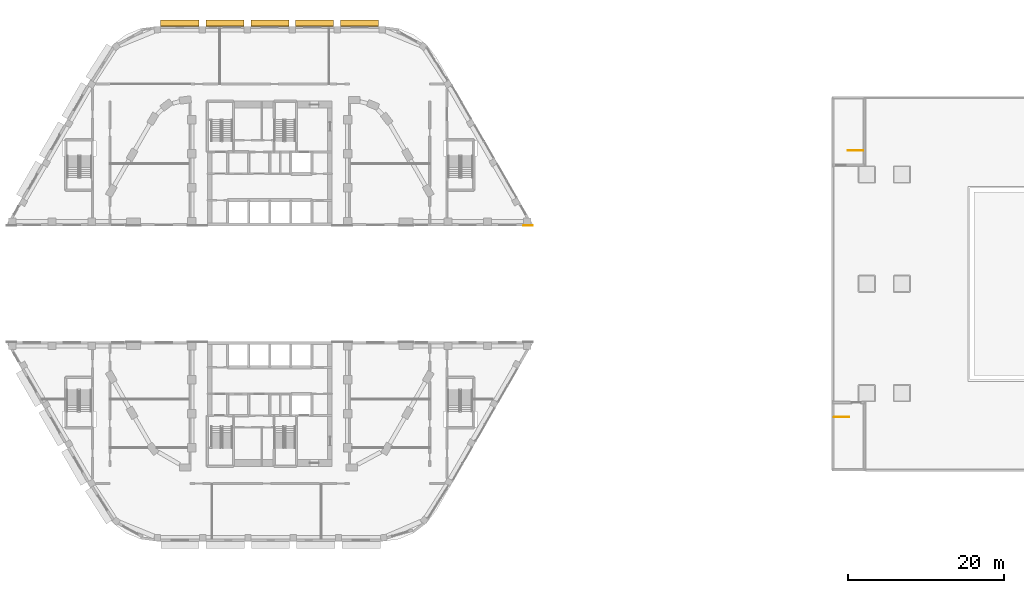
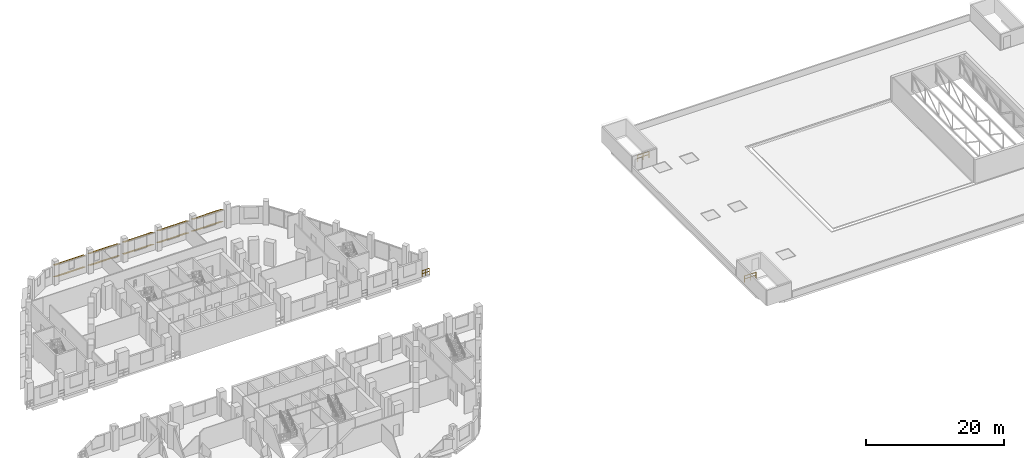
# One storey, part 32 of 33: 10 shading devices, 3 railings.
"""IFC4 building model written with IfcOpenShell, lengths in metres."""

from ifc_helpers import new_model, si_unit, direction, frame, origin, origin_2d, place, context, subcontext, project, spatial, rectangle, circle, extrude, material, material_profile, profile_set, type_object, element, save


model = new_model("IFC4")

# Units and contexts
model_context = context("Model", 3, precision=1e-05, world=origin(), true_north=direction((0.0, 1.0)))
body_context = subcontext(model_context, "Body", "Model", "MODEL_VIEW")
ifc_project = project(units=[si_unit("LENGTHUNIT", "METRE"), si_unit("AREAUNIT", "SQUARE_METRE"), si_unit("VOLUMEUNIT", "CUBIC_METRE"), si_unit("PLANEANGLEUNIT", "RADIAN"), si_unit("MASSUNIT", "GRAM", prefix="KILO")], contexts=[model_context])

# Site, building, storey
site_placement = place(None, origin())
site = spatial("IfcSite", under=ifc_project, at=site_placement, CompositionType="ELEMENT")
building_placement = place(site_placement, origin())
building = spatial("IfcBuilding", under=site, at=building_placement, Name="Nakaniwa Court", CompositionType="ELEMENT")
storey_placement = place(building_placement, frame((0.0, 0.0, 19.800048828125)))
storey = spatial("IfcBuildingStorey", under=building, at=storey_placement, Name="L04", CompositionType="ELEMENT", Elevation=19.800048828125)

# Railings
ifc_material_1 = material(Name="Black powder-coated steel flat bar balustrade S275", Category="steel")
railing_type_1 = type_object("IfcRailingType", Name="Hall guard 1100", PredefinedType="GUARDRAIL", material=ifc_material_1)
railing_1_placement = place(storey_placement, frame((152.300048828125, 62.909912109375, 0.0)))
element("IfcRailing", 1, at=railing_1_placement, inside=storey, type_object=railing_type_1, Name="L04 ST-H1 top well guard 1", PredefinedType="GUARDRAIL", context=body_context, shape_type="SweptSolid", body=[
    extrude(circle(Radius=0.02392578125, at=origin_2d()), frame((0.0, 0.0, 1.076171875), z_axis=(1.0, 0.0, 0.0), x_axis=(0.0, 1.0, 0.0)), (0.0, 0.0, 1.0), 1.949951171875),
    extrude(circle(Radius=0.02392578125, at=origin_2d()), frame((0.0, 0.0, 0.550048828125), z_axis=(1.0, 0.0, 0.0), x_axis=(0.0, 1.0, 0.0)), (0.0, 0.0, 1.0), 1.949951171875),
    extrude(circle(Radius=0.02099609375, at=origin_2d()), origin(), (0.0, 0.0, 1.0), 1.052001953125),
    extrude(circle(Radius=0.02099609375, at=origin_2d()), frame((0.97509765625, 0.0, 0.0)), (0.0, 0.0, 1.0), 1.052001953125),
    extrude(circle(Radius=0.02099609375, at=origin_2d()), frame((1.949951171875, 0.0, 0.0)), (0.0, 0.0, 1.0), 1.052001953125),
])
railing_2_placement = place(storey_placement, frame((156.050048828125, 97.090087890625, 0.0)))
element("IfcRailing", 2, at=railing_2_placement, inside=storey, type_object=railing_type_1, Name="L04 ST-H2 top well guard 1", PredefinedType="GUARDRAIL", context=body_context, shape_type="SweptSolid", body=[
    extrude(circle(Radius=0.02392578125, at=origin_2d()), frame((0.0, 0.0, 1.076171875), z_axis=(-1.0, 0.0, 0.0), x_axis=(0.0, -1.0, 0.0)), (0.0, 0.0, 1.0), 1.949951171875),
    extrude(circle(Radius=0.02392578125, at=origin_2d()), frame((0.0, 0.0, 0.550048828125), z_axis=(-1.0, 0.0, 0.0), x_axis=(0.0, -1.0, 0.0)), (0.0, 0.0, 1.0), 1.949951171875),
    extrude(circle(Radius=0.02099609375, at=origin_2d()), origin(), (0.0, 0.0, 1.0), 1.052001953125),
    extrude(circle(Radius=0.02099609375, at=origin_2d()), frame((-0.97509765625, 0.0, 0.0)), (0.0, 0.0, 1.0), 1.052001953125),
    extrude(circle(Radius=0.02099609375, at=origin_2d()), frame((-1.949951171875, 0.0, 0.0)), (0.0, 0.0, 1.0), 1.052001953125),
])

# Shading devices
ifc_material_2 = material(Name="Perforated charcoal ceramic louvre blade")
ifc_material_profile = material_profile(ifc_material_2, rectangle(XDim=0.89990234375, YDim=0.050048828125, at=origin_2d()), Name="Perforated ceramic louvre blade")
ifc_profile_set = profile_set([ifc_material_profile], Name="Perforated charcoal ceramic louvre blade")
shading_device_type = type_object("IfcShadingDeviceType", Name="Perforated ceramic louvre blade", PredefinedType="JALOUSIE", material=ifc_profile_set)
for number, where, z_axis, x_axis, name in (
    (3, (93.958251953125, 113.402099609375, 0.550048828125), (-1.0, 0.0, 0.0), (0.0, -0.866025403784, 0.5), "L04 perforated ceramic louvre blade w46 1"),
    (4, (93.958251953125, 113.402099609375, 2.64990234375), (-1.0, 0.0, 0.0), (0.0, -0.866025403784, 0.5), "L04 perforated ceramic louvre blade w46 2"),
    (5, (88.196533203125, 113.402099609375, 0.550048828125), (-1.0, 0.0, 0.0), (0.0, -0.866025403784, 0.5), "L04 perforated ceramic louvre blade w47 1"),
    (6, (88.196533203125, 113.402099609375, 2.64990234375), (-1.0, 0.0, 0.0), (0.0, -0.866025403784, 0.5), "L04 perforated ceramic louvre blade w47 2"),
    (7, (82.434814453125, 113.402099609375, 0.550048828125), (-1.0, 0.0, 0.0), (0.0, -0.866025403784, 0.5), "L04 perforated ceramic louvre blade w48 1"),
    (8, (82.434814453125, 113.402099609375, 2.64990234375), (-1.0, 0.0, 0.0), (0.0, -0.866025403784, 0.5), "L04 perforated ceramic louvre blade w48 2"),
    (9, (76.673095703125, 113.402099609375, 0.550048828125), (-1.0, 0.0, 0.0), (0.0, -0.866025403784, 0.5), "L04 perforated ceramic louvre blade w49 1"),
    (10, (76.673095703125, 113.402099609375, 2.64990234375), (-1.0, 0.0, 0.0), (0.0, -0.866025403784, 0.5), "L04 perforated ceramic louvre blade w49 2"),
):
    element("IfcShadingDevice", number, at=place(storey_placement, frame(where, z_axis=z_axis, x_axis=x_axis)), inside=storey, type_object=shading_device_type, Name=name, PredefinedType="JALOUSIE", context=body_context, shape_type="SweptSolid", body=[
        extrude(rectangle(XDim=0.89990234375, YDim=0.050048828125, at=origin_2d()), origin(), (0.0, 0.0, 1.0), 4.86962890625),
    ])
for number, where, z_axis, x_axis, name in (
    (11, (70.911376953125, 113.402099609375, 0.550048828125), (-1.0, 0.0, 0.0), (0.0, -0.866025403784, 0.5), "L04 perforated ceramic louvre blade w50 1"),
    (12, (70.911376953125, 113.402099609375, 2.64990234375), (-1.0, 0.0, 0.0), (0.0, -0.866025403784, 0.5), "L04 perforated ceramic louvre blade w50 2"),
):
    element("IfcShadingDevice", number, at=place(storey_placement, frame(where, z_axis=z_axis, x_axis=x_axis)), inside=storey, type_object=shading_device_type, Name=name, PredefinedType="JALOUSIE", context=body_context, shape_type="SweptSolid", body=[
        extrude(rectangle(XDim=0.89990234375, YDim=0.050048828125, at=origin_2d()), origin(), (0.0, 0.0, 1.0), 4.90576171875),
    ])

# Railing
ifc_material_3 = material(Name="Black powder coated steel guard", Category="steel")
railing_type_2 = type_object("IfcRailingType", Name="Stair guard 1100", PredefinedType="GUARDRAIL", material=ifc_material_3)
railing_3_placement = place(storey_placement, frame((113.702880859375, 87.449951171875, 0.0)))
element("IfcRailing", 13, at=railing_3_placement, inside=storey, type_object=railing_type_2, Name="GUARD GD-L04-071", PredefinedType="GUARDRAIL", context=body_context, shape_type="SweptSolid", body=[
    extrude(circle(Radius=0.02392578125, at=origin_2d()), frame((0.0, 0.0, 1.076171875), z_axis=(-1.0, 0.0, 0.0), x_axis=(0.0, -1.0, 0.0)), (0.0, 0.0, 1.0), 1.18896484375),
    extrude(circle(Radius=0.02392578125, at=origin_2d()), frame((0.0, 0.0, 0.550048828125), z_axis=(-1.0, 0.0, 0.0), x_axis=(0.0, -1.0, 0.0)), (0.0, 0.0, 1.0), 1.18896484375),
    extrude(circle(Radius=0.02099609375, at=origin_2d()), origin(), (0.0, 0.0, 1.0), 1.052001953125),
    extrude(circle(Radius=0.02099609375, at=origin_2d()), frame((-0.594482421875, 0.0, 0.0)), (0.0, 0.0, 1.0), 1.052001953125),
    extrude(circle(Radius=0.02099609375, at=origin_2d()), frame((-1.18896484375, 0.0, 0.0)), (0.0, 0.0, 1.0), 1.052001953125),
])

save(model, "model.ifc")
